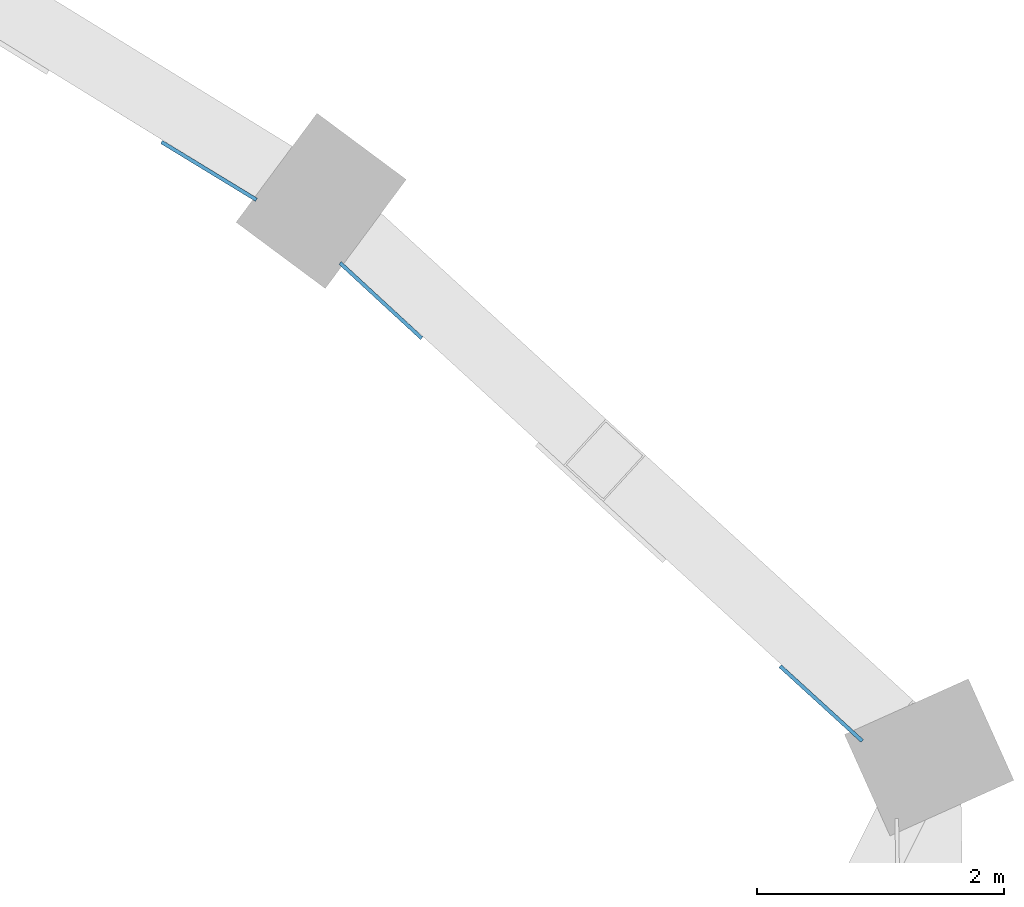
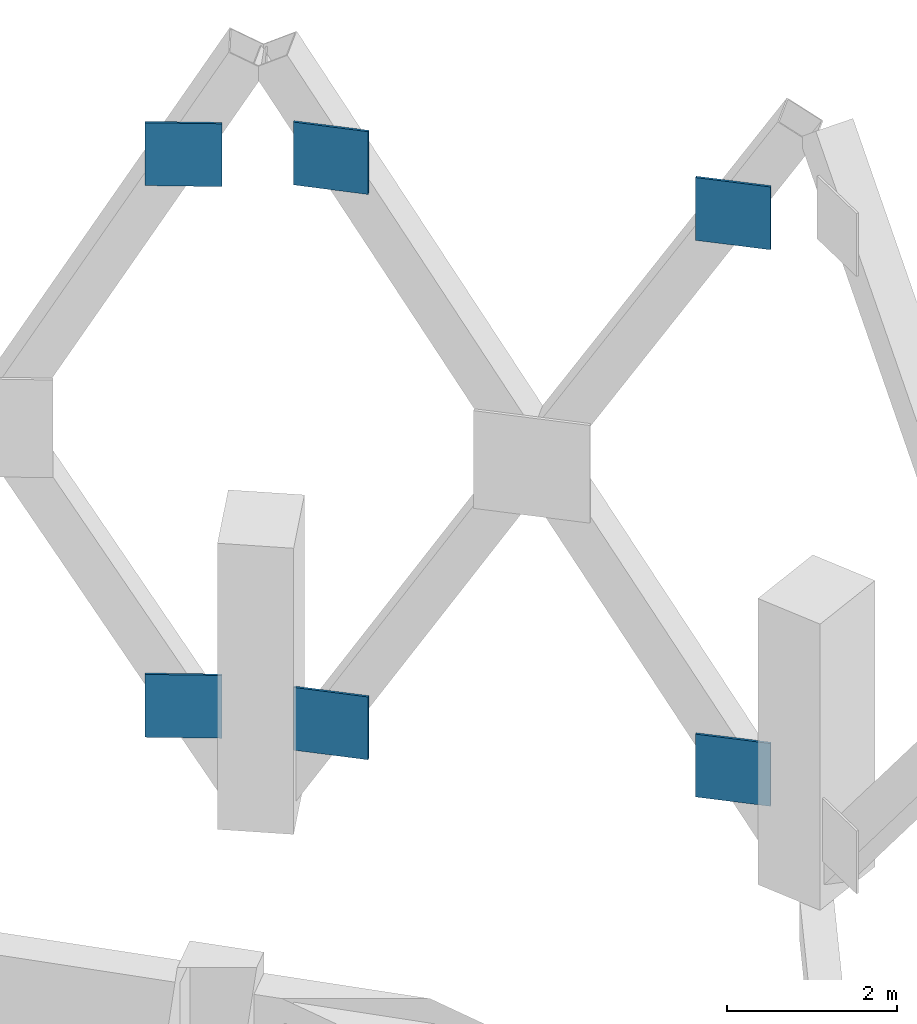
# One storey, part 8 of 15: 6 discrete accessories.
"""IFC4 building model written with IfcOpenShell, lengths in metres."""

from ifc_helpers import new_model, si_unit, direction, frame, origin, origin_2d, place, context, subcontext, project, spatial, rectangle, extrude, material, material_profile, profile_set, type_object, element, save


model = new_model("IFC4")

# Units and contexts
model_context = context("Model", 3, precision=1e-05, world=origin(), true_north=direction((0.0, 1.0)))
body_context = subcontext(model_context, "Body", "Model", "MODEL_VIEW")
ifc_project = project(units=[si_unit("LENGTHUNIT", "METRE"), si_unit("AREAUNIT", "SQUARE_METRE"), si_unit("VOLUMEUNIT", "CUBIC_METRE"), si_unit("PLANEANGLEUNIT", "RADIAN"), si_unit("MASSUNIT", "GRAM", prefix="KILO")], contexts=[model_context])

# Site, building, storey
site_placement = place(None, origin())
site = spatial("IfcSite", under=ifc_project, at=site_placement, CompositionType="ELEMENT")
building_placement = place(site_placement, origin())
building = spatial("IfcBuilding", under=site, at=building_placement, Name="Cypress Arch Tower", CompositionType="ELEMENT")
storey_placement = place(building_placement, frame((0.0, 0.0, 193.300048828125)))
storey = spatial("IfcBuildingStorey", under=building, at=storey_placement, Name="L42", CompositionType="ELEMENT", Elevation=193.300048828125)

# Discrete accessories
ifc_material = material(Name="Steel ASTM A992", Category="steel")
ifc_material_profile = material_profile(ifc_material, rectangle(XDim=0.89990234375, YDim=0.89990234375, at=origin_2d()), Name="PL 30 900x900")
ifc_profile_set = profile_set([ifc_material_profile], Name="Steel ASTM A992")
discrete_accessory_type = type_object("IfcDiscreteAccessoryType", Name="Gusset plate 900x900x30 Steel ASTM A992", PredefinedType="ANCHORPLATE", material=ifc_profile_set)
discrete_accessory_1_placement = place(storey_placement, frame((23.198974609375, 14.20654296875, 1.562744140625), z_axis=(-0.673884243496, -0.738836941664, 0.0), x_axis=(0.738836941664, -0.673884243496, 0.0)))
element("IfcDiscreteAccessory", 1, at=discrete_accessory_1_placement, inside=storey, type_object=discrete_accessory_type, Name="Gusset plate L42 CQ15-CQ16u0", PredefinedType="ANCHORPLATE", context=body_context, shape_type="SweptSolid", body=[
    extrude(rectangle(XDim=0.89990234375, YDim=0.89990234375, at=origin_2d()), origin(), (0.0, 0.0, 1.0), 0.030029296875),
])
discrete_accessory_2_placement = place(storey_placement, frame((19.63232421875, 17.470947265625, 9.599853515625), z_axis=(-0.677940786048, -0.735116514991, 0.0), x_axis=(0.735116514991, -0.677940786048, 0.0)))
element("IfcDiscreteAccessory", 2, at=discrete_accessory_2_placement, inside=storey, type_object=discrete_accessory_type, Name="Gusset plate L42 CQ15-CQ16u1", PredefinedType="ANCHORPLATE", context=body_context, shape_type="SweptSolid", body=[
    extrude(rectangle(XDim=0.89990234375, YDim=0.89990234375, at=origin_2d()), origin(), (0.0, 0.0, 1.0), 0.02978515625),
])
discrete_accessory_3_placement = place(storey_placement, frame((23.198974609375, 14.20654296875, 9.537109375), z_axis=(-0.673884243496, -0.738836941664, 0.0), x_axis=(0.738836941664, -0.673884243496, 0.0)))
element("IfcDiscreteAccessory", 3, at=discrete_accessory_3_placement, inside=storey, type_object=discrete_accessory_type, Name="Gusset plate L42 CQ15-CQ16d0", PredefinedType="ANCHORPLATE", context=body_context, shape_type="SweptSolid", body=[
    extrude(rectangle(XDim=0.89990234375, YDim=0.89990234375, at=origin_2d()), origin(), (0.0, 0.0, 1.0), 0.030029296875),
])
discrete_accessory_4_placement = place(storey_placement, frame((19.63232421875, 17.470947265625, 1.5), z_axis=(-0.677940786048, -0.735116514991, 0.0), x_axis=(0.735116514991, -0.677940786048, 0.0)))
element("IfcDiscreteAccessory", 4, at=discrete_accessory_4_placement, inside=storey, type_object=discrete_accessory_type, Name="Gusset plate L42 CQ15-CQ16d1", PredefinedType="ANCHORPLATE", context=body_context, shape_type="SweptSolid", body=[
    extrude(rectangle(XDim=0.89990234375, YDim=0.89990234375, at=origin_2d()), origin(), (0.0, 0.0, 1.0), 0.02978515625),
])
for number, where, z_axis, x_axis, name in (
    (5, (18.237060546875, 18.523681640625, 1.597900390625), (-0.520462828118, -0.853884327381, 0.0), (0.853884327381, -0.520462828118, 0.0), "Gusset plate L42 CQ16-CQ17u0"),
    (6, (18.237060546875, 18.523681640625, 9.501953125), (-0.520462828118, -0.853884327381, 0.0), (0.853884327381, -0.520462828118, 0.0), "Gusset plate L42 CQ16-CQ17d0"),
):
    element("IfcDiscreteAccessory", number, at=place(storey_placement, frame(where, z_axis=z_axis, x_axis=x_axis)), inside=storey, type_object=discrete_accessory_type, Name=name, PredefinedType="ANCHORPLATE", context=body_context, shape_type="SweptSolid", body=[
        extrude(rectangle(XDim=0.89990234375, YDim=0.89990234375, at=origin_2d()), origin(), (0.0, 0.0, 1.0), 0.030029296875),
    ])

save(model, "model.ifc")
